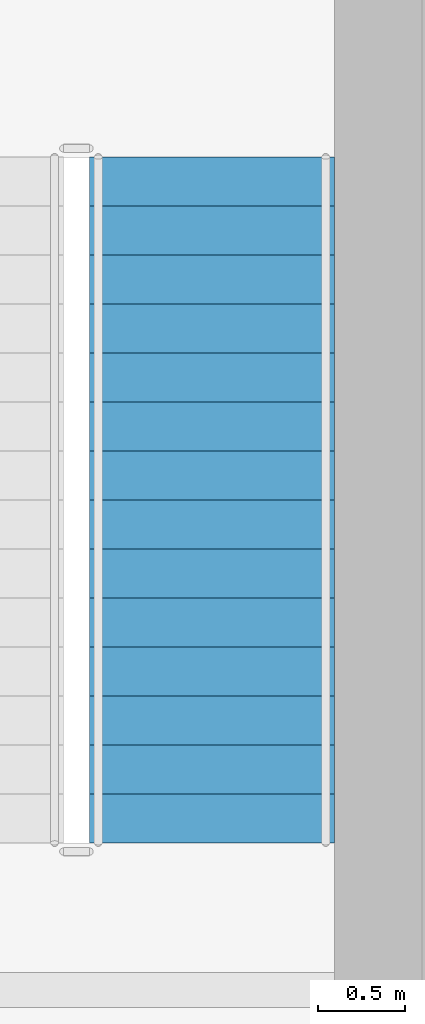
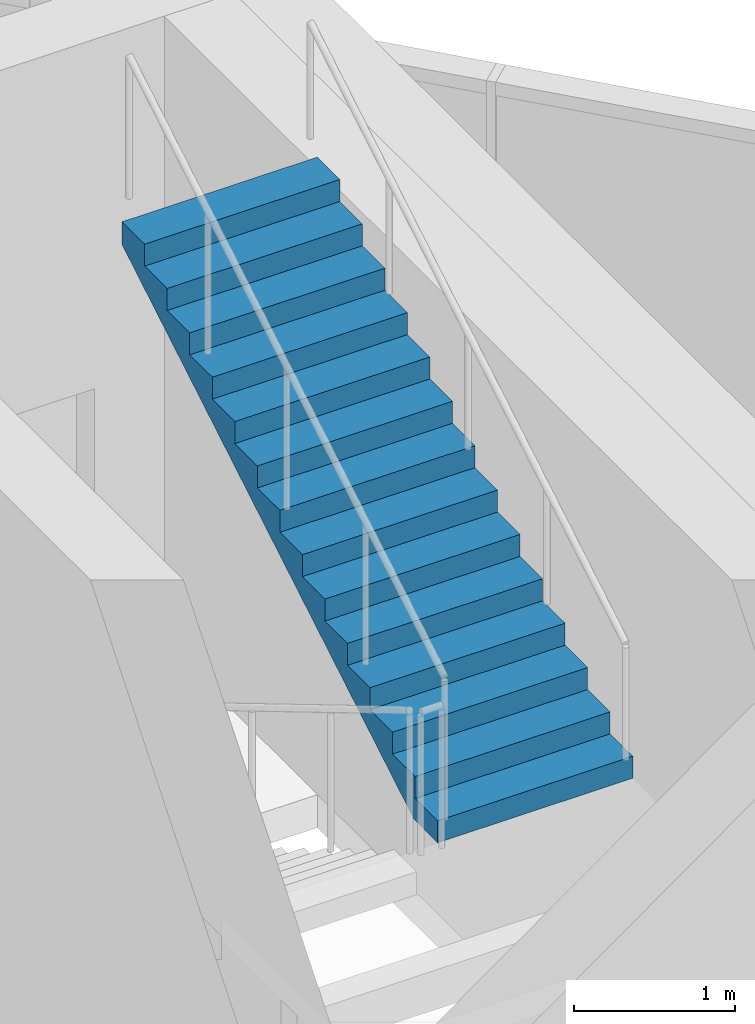
# One storey, part 10 of 12: 1 stair flight, 1 element without a shape of its own.
"""IFC4 building model written with IfcOpenShell, lengths in metres."""

from ifc_helpers import new_model, si_unit, direction, frame, origin, place, context, subcontext, project, spatial, polyline, outline, extrude, material, type_object, element, aggregate, save


model = new_model("IFC4")

# Units and contexts
model_context = context("Model", 3, precision=1e-05, world=origin(), true_north=direction((0.0, 1.0)))
body_context = subcontext(model_context, "Body", "Model", "MODEL_VIEW")
ifc_project = project(units=[si_unit("LENGTHUNIT", "METRE"), si_unit("AREAUNIT", "SQUARE_METRE"), si_unit("VOLUMEUNIT", "CUBIC_METRE"), si_unit("PLANEANGLEUNIT", "RADIAN"), si_unit("MASSUNIT", "GRAM", prefix="KILO")], contexts=[model_context])

# Site, building, storey
site_placement = place(None, origin())
site = spatial("IfcSite", under=ifc_project, at=site_placement, CompositionType="ELEMENT")
building_placement = place(site_placement, origin())
building = spatial("IfcBuilding", under=site, at=building_placement, Name="Isthmus Gate Tower", CompositionType="ELEMENT")
storey_placement = place(building_placement, frame((0.0, 0.0, 306.10009765625)))
storey = spatial("IfcBuildingStorey", under=building, at=storey_placement, Name="C2", CompositionType="ELEMENT", Elevation=306.10009765625)

# Stair, stair flight
ifc_material_1 = material(Name="Concrete f'c 40 MPa", Category="concrete")
stair_type = type_object("IfcStairType", Name="CORE STAIR 30 RISERS", PredefinedType="HALF_TURN_STAIR", material=ifc_material_1)
stair_placement = place(storey_placement, origin())
stair = element("IfcStair", 1, at=stair_placement, inside=storey, type_object=stair_type, Name="C2 Exit Stair 2", PredefinedType="HALF_TURN_STAIR")
ifc_material_2 = material(Name="Concrete f'c 40 MPa", Category="concrete")
stair_flight_type = type_object("IfcStairFlightType", Name="STAIR FLIGHT RC 1400", PredefinedType="STRAIGHT", material=ifc_material_2)
stair_flight_placement = place(storey_placement, frame((13.300048828125, 8.679931640625, 2.5), z_axis=(0.0, 0.0, 1.0), x_axis=(0.0, 1.0, 0.0)))
stair_flight = element("IfcStairFlight", 2, at=stair_flight_placement, type_object=stair_flight_type, Name="ST2 flight 2", NumberOfRisers=15, NumberOfTreads=14, PredefinedType="STRAIGHT", RiserHeight=0.166666667, TreadLength=0.28, context=body_context, shape_type="SweptSolid", body=[
    extrude(outline(polyline([(0.0, 0.0), (0.0, 0.166748046875), (0.280029296875, 0.166748046875), (0.280029296875, 0.333251953125), (0.56005859375, 0.333251953125), (0.56005859375, 0.5), (0.840087890625, 0.5), (0.840087890625, 0.666748046875), (1.1201171875, 0.666748046875), (1.1201171875, 0.833251953125), (1.39990234375, 0.833251953125), (1.39990234375, 1.0), (1.679931640625, 1.0), (1.679931640625, 1.166748046875), (1.9599609375, 1.166748046875), (1.9599609375, 1.333251953125), (2.239990234375, 1.333251953125), (2.239990234375, 1.5), (2.52001953125, 1.5), (2.52001953125, 1.666748046875), (2.800048828125, 1.666748046875), (2.800048828125, 1.833251953125), (3.080078125, 1.833251953125), (3.080078125, 2.0), (3.360107421875, 2.0), (3.360107421875, 2.166748046875), (3.639892578125, 2.166748046875), (3.639892578125, 2.333251953125), (3.919921875, 2.333251953125), (3.919921875, 2.5), (3.919921875, 2.158935546875), (0.29296875, 0.0), (0.0, 0.0)])), frame((0.0, 0.699951171875, 0.0), z_axis=(0.0, -1.0, 0.0), x_axis=(1.0, 0.0, 0.0)), (0.0, 0.0, 1.0), 1.39990234375),
])
aggregate(stair, [stair_flight])

save(model, "model.ifc")
